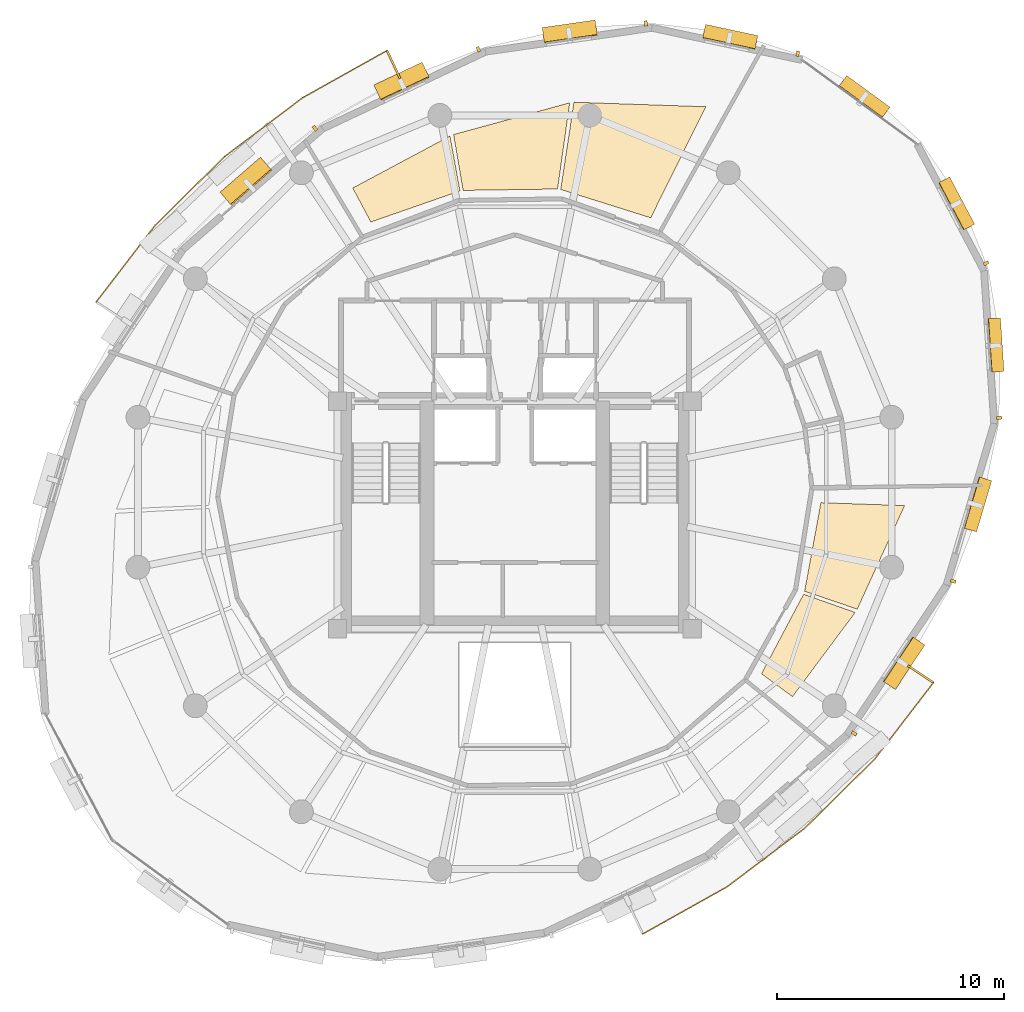
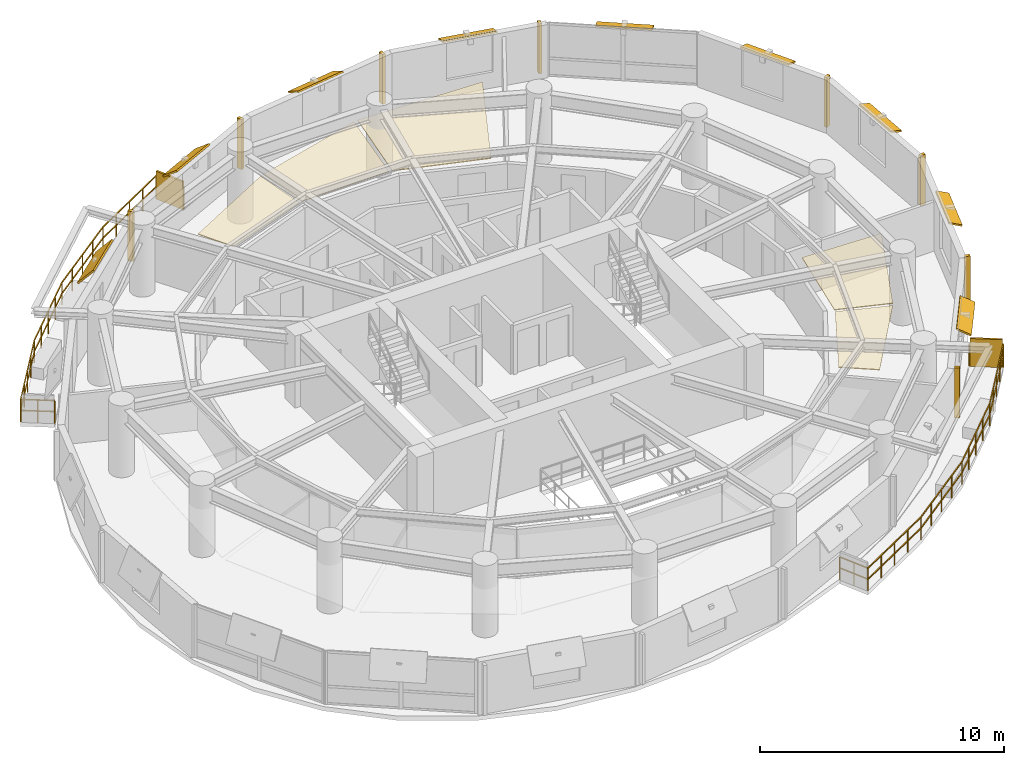
# One storey, part 12 of 12: 19 shading devices, 5 coverings, 2 railings.
"""IFC4 building model written with IfcOpenShell, lengths in metres."""

from ifc_helpers import new_model, si_unit, direction, frame, origin, origin_2d, place, context, subcontext, project, spatial, polyline, rectangle, outline, extrude, material, layer, layer_set, type_object, element, save


model = new_model("IFC4")

# Units and contexts
model_context = context("Model", 3, precision=1e-05, world=origin(), true_north=direction((0.0, 1.0)))
body_context = subcontext(model_context, "Body", "Model", "MODEL_VIEW")
ifc_project = project(units=[si_unit("LENGTHUNIT", "METRE"), si_unit("AREAUNIT", "SQUARE_METRE"), si_unit("VOLUMEUNIT", "CUBIC_METRE"), si_unit("PLANEANGLEUNIT", "RADIAN"), si_unit("MASSUNIT", "GRAM", prefix="KILO"), si_unit("THERMODYNAMICTEMPERATUREUNIT", "KELVIN"), si_unit("POWERUNIT", "WATT")], contexts=[model_context])

# Site, building, storey
site_placement = place(None, origin())
site = spatial("IfcSite", under=ifc_project, at=site_placement, CompositionType="ELEMENT")
building_placement = place(site_placement, origin())
building = spatial("IfcBuilding", under=site, at=building_placement, Name="Ocrelia Relay Tower", CompositionType="ELEMENT")
storey_placement = place(building_placement, frame((0.0, 0.0, 202.39990234375)))
storey = spatial("IfcBuildingStorey", under=building, at=storey_placement, Name="L49", CompositionType="ELEMENT", Elevation=202.39990234375)

# Coverings
ifc_material_1 = material(Name="Mineral-fiber acoustic ceiling tile", Category="gypsum")
ifc_layer_1 = layer(ifc_material_1, 0.0400390625, Name="Mineral-fiber acoustic ceiling tile")
ifc_layer_set_1 = layer_set([ifc_layer_1], Name="Mineral-fiber acoustic ceiling tile")
covering_type = type_object("IfcCoveringType", Name="COV-CEIL-ACOUSTIC", PredefinedType="CEILING", material=ifc_layer_set_1)
covering_1_placement = place(storey_placement, frame((0.0, 0.0, 2.380126953125)))
element("IfcCovering", 1, at=covering_1_placement, inside=storey, type_object=covering_type, Name="L49 Cloud Engineering Workspace Suspended Ceiling 1", PredefinedType="CEILING", context=body_context, shape_type="SweptSolid", body=[
    extrude(outline(polyline([(39.978759765625, 38.070556640625), (42.400146484375, 42.958984375), (36.599609375, 43.156005859375), (36.01806640625, 39.318115234375), (39.978759765625, 38.070556640625)])), origin(), (0.0, 0.0, 1.0), 0.0400390625),
])
covering_2_placement = place(storey_placement, frame((0.0, 0.0, 2.380126953125)))
element("IfcCovering", 2, at=covering_2_placement, inside=storey, type_object=covering_type, Name="L49 Cloud Engineering Workspace Suspended Ceiling 2", PredefinedType="CEILING", context=body_context, shape_type="SweptSolid", body=[
    extrude(outline(polyline([(35.87841796875, 39.33837890625), (36.41259765625, 43.130615234375), (31.305908203125, 41.7333984375), (31.7265625, 39.27685546875), (35.87841796875, 39.33837890625)])), origin(), (0.0, 0.0, 1.0), 0.0400390625),
])
covering_3_placement = place(storey_placement, frame((0.0, 0.0, 2.380126953125)))
element("IfcCovering", 3, at=covering_3_placement, inside=storey, type_object=covering_type, Name="L49 Cloud Engineering Workspace Suspended Ceiling 3", PredefinedType="CEILING", context=body_context, shape_type="SweptSolid", body=[
    extrude(outline(polyline([(31.587646484375, 39.252197265625), (31.147705078125, 41.668701171875), (26.869384765625, 39.382568359375), (27.665771484375, 37.8876953125), (31.587646484375, 39.252197265625)])), origin(), (0.0, 0.0, 1.0), 0.0400390625),
])
covering_4_placement = place(storey_placement, frame((0.0, 0.0, 2.380126953125)))
element("IfcCovering", 4, at=covering_4_placement, inside=storey, type_object=covering_type, Name="L49 Telemetry Operations Office Suspended Ceiling 1", PredefinedType="CEILING", context=body_context, shape_type="SweptSolid", body=[
    extrude(outline(polyline([(44.848876953125, 18.01611328125), (46.212890625, 17.01220703125), (48.970703125, 20.71337890625), (46.701416015625, 21.5146484375), (44.848876953125, 18.01611328125)])), origin(), (0.0, 0.0, 1.0), 0.0400390625),
])
covering_5_placement = place(storey_placement, frame((0.0, 0.0, 2.380126953125)))
element("IfcCovering", 5, at=covering_5_placement, inside=storey, type_object=covering_type, Name="L49 Telemetry Operations Office Suspended Ceiling 2", PredefinedType="CEILING", context=body_context, shape_type="SweptSolid", body=[
    extrude(outline(polyline([(46.74755859375, 21.64794921875), (49.058837890625, 20.85888671875), (51.14599609375, 25.416259765625), (47.462158203125, 25.541748046875), (46.74755859375, 21.64794921875)])), origin(), (0.0, 0.0, 1.0), 0.0400390625),
])

# Railings
ifc_material_2 = material(Name="Steel S355 balustrade", Category="steel")
railing_type = type_object("IfcRailingType", Name="RL-EXT-GUARD-1150", PredefinedType="GUARDRAIL", material=ifc_material_2)
railing_1_placement = place(storey_placement, frame((16.744384765625, 33.602783203125, 0.0)))
element("IfcRailing", 6, at=railing_1_placement, inside=storey, type_object=railing_type, Name="L49 Loggia Balcony Guard Rail B1", PredefinedType="GUARDRAIL", context=body_context, shape_type="SweptSolid", body=[
    extrude(rectangle(XDim=0.048095703125, YDim=0.048095703125, at=origin_2d()), frame((0.0, 0.0, 1.1259765625), z_axis=(-0.833878836898, 0.551947538607, 0.0), x_axis=(-0.551947538607, -0.833878836898, 0.0)), (0.0, 0.0, 1.0), 1.393310546875),
    extrude(rectangle(XDim=0.048095703125, YDim=0.048095703125, at=origin_2d()), frame((0.0, 0.0, 0.574951171875), z_axis=(-0.833878836898, 0.551947538607, 0.0), x_axis=(-0.551947538607, -0.833878836898, 0.0)), (0.0, 0.0, 1.0), 1.393310546875),
    extrude(rectangle(XDim=0.048095703125, YDim=0.048095703125, at=origin_2d()), frame((-1.161865234375, 0.76904296875, 1.1259765625), z_axis=(0.609272358463, 0.792961028811, 0.0), x_axis=(-0.792961028811, 0.609272358463, 0.0)), (0.0, 0.0, 1.0), 2.12646484375),
    extrude(rectangle(XDim=0.048095703125, YDim=0.048095703125, at=origin_2d()), frame((-1.161865234375, 0.76904296875, 0.574951171875), z_axis=(0.609272358463, 0.792961028811, 0.0), x_axis=(-0.792961028811, 0.609272358463, 0.0)), (0.0, 0.0, 1.0), 2.12646484375),
    extrude(rectangle(XDim=0.048095703125, YDim=0.048095703125, at=origin_2d()), frame((0.1337890625, 2.455322265625, 1.1259765625), z_axis=(0.609272358463, 0.792961028811, 0.0), x_axis=(-0.792961028811, 0.609272358463, 0.0)), (0.0, 0.0, 1.0), 2.12646484375),
    extrude(rectangle(XDim=0.048095703125, YDim=0.048095703125, at=origin_2d()), frame((0.1337890625, 2.455322265625, 0.574951171875), z_axis=(0.609272358463, 0.792961028811, 0.0), x_axis=(-0.792961028811, 0.609272358463, 0.0)), (0.0, 0.0, 1.0), 2.12646484375),
    extrude(rectangle(XDim=0.048095703125, YDim=0.048095703125, at=origin_2d()), frame((1.429443359375, 4.1416015625, 1.1259765625), z_axis=(0.710929584631, 0.703263198025, 0.0), x_axis=(-0.703263198025, 0.710929584631, 0.0)), (0.0, 0.0, 1.0), 4.299072265625),
    extrude(rectangle(XDim=0.048095703125, YDim=0.048095703125, at=origin_2d()), frame((1.429443359375, 4.1416015625, 0.574951171875), z_axis=(0.710929584631, 0.703263198025, 0.0), x_axis=(-0.703263198025, 0.710929584631, 0.0)), (0.0, 0.0, 1.0), 4.299072265625),
    extrude(rectangle(XDim=0.048095703125, YDim=0.048095703125, at=origin_2d()), frame((4.48583984375, 7.1650390625, 1.1259765625), z_axis=(0.798518768599, 0.601969913032, 0.0), x_axis=(-0.601969913032, 0.798518768599, 0.0)), (0.0, 0.0, 1.0), 4.299072265625),
    extrude(rectangle(XDim=0.048095703125, YDim=0.048095703125, at=origin_2d()), frame((4.48583984375, 7.1650390625, 0.574951171875), z_axis=(0.798518768599, 0.601969913032, 0.0), x_axis=(-0.601969913032, 0.798518768599, 0.0)), (0.0, 0.0, 1.0), 4.299072265625),
    extrude(rectangle(XDim=0.048095703125, YDim=0.048095703125, at=origin_2d()), frame((7.918701171875, 9.7529296875, 1.1259765625), z_axis=(0.872582351103, 0.488467031173, 0.0), x_axis=(-0.488467031173, 0.872582351103, 0.0)), (0.0, 0.0, 1.0), 2.126708984375),
    extrude(rectangle(XDim=0.048095703125, YDim=0.048095703125, at=origin_2d()), frame((7.918701171875, 9.7529296875, 0.574951171875), z_axis=(0.872582351103, 0.488467031173, 0.0), x_axis=(-0.488467031173, 0.872582351103, 0.0)), (0.0, 0.0, 1.0), 2.126708984375),
    extrude(rectangle(XDim=0.048095703125, YDim=0.048095703125, at=origin_2d()), frame((9.7744140625, 10.791748046875, 1.1259765625), z_axis=(0.872631279712, 0.488379616352, 0.0), x_axis=(-0.488379616352, 0.872631279712, 0.0)), (0.0, 0.0, 1.0), 2.12646484375),
    extrude(rectangle(XDim=0.048095703125, YDim=0.048095703125, at=origin_2d()), frame((9.7744140625, 10.791748046875, 0.574951171875), z_axis=(0.872631279712, 0.488379616352, 0.0), x_axis=(-0.488379616352, 0.872631279712, 0.0)), (0.0, 0.0, 1.0), 2.12646484375),
    extrude(rectangle(XDim=0.048095703125, YDim=0.048095703125, at=origin_2d()), frame((11.630126953125, 11.830322265625, 1.1259765625), z_axis=(0.425923596755, -0.904759133542, 0.0), x_axis=(0.904759133542, 0.425923596755, 0.0)), (0.0, 0.0, 1.0), 1.3935546875),
    extrude(rectangle(XDim=0.048095703125, YDim=0.048095703125, at=origin_2d()), frame((11.630126953125, 11.830322265625, 0.574951171875), z_axis=(0.425923596755, -0.904759133542, 0.0), x_axis=(0.904759133542, 0.425923596755, 0.0)), (0.0, 0.0, 1.0), 1.3935546875),
    extrude(rectangle(XDim=0.0419921875, YDim=0.0419921875, at=origin_2d()), origin(), (0.0, 0.0, 1.0), 1.101806640625),
    extrude(rectangle(XDim=0.0419921875, YDim=0.0419921875, at=origin_2d()), frame((-0.5810546875, 0.384521484375, 0.0)), (0.0, 0.0, 1.0), 1.101806640625),
    extrude(rectangle(XDim=0.0419921875, YDim=0.0419921875, at=origin_2d()), frame((-1.161865234375, 0.76904296875, 0.0)), (0.0, 0.0, 1.0), 1.101806640625),
    extrude(rectangle(XDim=0.0419921875, YDim=0.0419921875, at=origin_2d()), frame((-0.51416015625, 1.6123046875, 0.0)), (0.0, 0.0, 1.0), 1.101806640625),
    extrude(rectangle(XDim=0.0419921875, YDim=0.0419921875, at=origin_2d()), frame((0.1337890625, 2.455322265625, 0.0)), (0.0, 0.0, 1.0), 1.101806640625),
    extrude(rectangle(XDim=0.0419921875, YDim=0.0419921875, at=origin_2d()), frame((0.78173828125, 3.29833984375, 0.0)), (0.0, 0.0, 1.0), 1.101806640625),
    extrude(rectangle(XDim=0.0419921875, YDim=0.0419921875, at=origin_2d()), frame((1.429443359375, 4.1416015625, 0.0)), (0.0, 0.0, 1.0), 1.101806640625),
    extrude(rectangle(XDim=0.0419921875, YDim=0.0419921875, at=origin_2d()), frame((2.193603515625, 4.8974609375, 0.0)), (0.0, 0.0, 1.0), 1.101806640625),
    extrude(rectangle(XDim=0.0419921875, YDim=0.0419921875, at=origin_2d()), frame((2.95751953125, 5.6533203125, 0.0)), (0.0, 0.0, 1.0), 1.101806640625),
    extrude(rectangle(XDim=0.0419921875, YDim=0.0419921875, at=origin_2d()), frame((3.7216796875, 6.4091796875, 0.0)), (0.0, 0.0, 1.0), 1.101806640625),
    extrude(rectangle(XDim=0.0419921875, YDim=0.0419921875, at=origin_2d()), frame((4.48583984375, 7.1650390625, 0.0)), (0.0, 0.0, 1.0), 1.101806640625),
    extrude(rectangle(XDim=0.0419921875, YDim=0.0419921875, at=origin_2d()), frame((5.343994140625, 7.81201171875, 0.0)), (0.0, 0.0, 1.0), 1.101806640625),
    extrude(rectangle(XDim=0.0419921875, YDim=0.0419921875, at=origin_2d()), frame((6.2021484375, 8.458984375, 0.0)), (0.0, 0.0, 1.0), 1.101806640625),
    extrude(rectangle(XDim=0.0419921875, YDim=0.0419921875, at=origin_2d()), frame((7.060546875, 9.10595703125, 0.0)), (0.0, 0.0, 1.0), 1.101806640625),
    extrude(rectangle(XDim=0.0419921875, YDim=0.0419921875, at=origin_2d()), frame((7.918701171875, 9.7529296875, 0.0)), (0.0, 0.0, 1.0), 1.101806640625),
    extrude(rectangle(XDim=0.0419921875, YDim=0.0419921875, at=origin_2d()), frame((8.8466796875, 10.2724609375, 0.0)), (0.0, 0.0, 1.0), 1.101806640625),
    extrude(rectangle(XDim=0.0419921875, YDim=0.0419921875, at=origin_2d()), frame((9.7744140625, 10.791748046875, 0.0)), (0.0, 0.0, 1.0), 1.101806640625),
    extrude(rectangle(XDim=0.0419921875, YDim=0.0419921875, at=origin_2d()), frame((10.7021484375, 11.31103515625, 0.0)), (0.0, 0.0, 1.0), 1.101806640625),
    extrude(rectangle(XDim=0.0419921875, YDim=0.0419921875, at=origin_2d()), frame((11.630126953125, 11.830322265625, 0.0)), (0.0, 0.0, 1.0), 1.101806640625),
    extrude(rectangle(XDim=0.0419921875, YDim=0.0419921875, at=origin_2d()), frame((11.9267578125, 11.199951171875, 0.0)), (0.0, 0.0, 1.0), 1.101806640625),
    extrude(rectangle(XDim=0.0419921875, YDim=0.0419921875, at=origin_2d()), frame((12.2236328125, 10.569580078125, 0.0)), (0.0, 0.0, 1.0), 1.101806640625),
])
railing_2_placement = place(storey_placement, frame((51.255615234375, 18.397216796875, 0.0)))
element("IfcRailing", 7, at=railing_2_placement, inside=storey, type_object=railing_type, Name="L49 Loggia Balcony Guard Rail B2", PredefinedType="GUARDRAIL", context=body_context, shape_type="SweptSolid", body=[
    extrude(rectangle(XDim=0.048095703125, YDim=0.048095703125, at=origin_2d()), frame((0.0, 0.0, 1.1259765625), z_axis=(0.833878836898, -0.551947538607, 0.0), x_axis=(0.551947538607, 0.833878836898, 0.0)), (0.0, 0.0, 1.0), 1.393310546875),
    extrude(rectangle(XDim=0.048095703125, YDim=0.048095703125, at=origin_2d()), frame((0.0, 0.0, 0.574951171875), z_axis=(0.833878836898, -0.551947538607, 0.0), x_axis=(0.551947538607, 0.833878836898, 0.0)), (0.0, 0.0, 1.0), 1.393310546875),
    extrude(rectangle(XDim=0.048095703125, YDim=0.048095703125, at=origin_2d()), frame((1.161865234375, -0.76904296875, 1.1259765625), z_axis=(-0.609272358463, -0.792961028811, 0.0), x_axis=(0.792961028811, -0.609272358463, 0.0)), (0.0, 0.0, 1.0), 2.12646484375),
    extrude(rectangle(XDim=0.048095703125, YDim=0.048095703125, at=origin_2d()), frame((1.161865234375, -0.76904296875, 0.574951171875), z_axis=(-0.609272358463, -0.792961028811, 0.0), x_axis=(0.792961028811, -0.609272358463, 0.0)), (0.0, 0.0, 1.0), 2.12646484375),
    extrude(rectangle(XDim=0.048095703125, YDim=0.048095703125, at=origin_2d()), frame((-0.1337890625, -2.455322265625, 1.1259765625), z_axis=(-0.609272358463, -0.792961028811, 0.0), x_axis=(0.792961028811, -0.609272358463, 0.0)), (0.0, 0.0, 1.0), 2.12646484375),
    extrude(rectangle(XDim=0.048095703125, YDim=0.048095703125, at=origin_2d()), frame((-0.1337890625, -2.455322265625, 0.574951171875), z_axis=(-0.609272358463, -0.792961028811, 0.0), x_axis=(0.792961028811, -0.609272358463, 0.0)), (0.0, 0.0, 1.0), 2.12646484375),
    extrude(rectangle(XDim=0.048095703125, YDim=0.048095703125, at=origin_2d()), frame((-1.429443359375, -4.1416015625, 1.1259765625), z_axis=(-0.710929584631, -0.703263198025, 0.0), x_axis=(0.703263198025, -0.710929584631, 0.0)), (0.0, 0.0, 1.0), 4.299072265625),
    extrude(rectangle(XDim=0.048095703125, YDim=0.048095703125, at=origin_2d()), frame((-1.429443359375, -4.1416015625, 0.574951171875), z_axis=(-0.710929584631, -0.703263198025, 0.0), x_axis=(0.703263198025, -0.710929584631, 0.0)), (0.0, 0.0, 1.0), 4.299072265625),
    extrude(rectangle(XDim=0.048095703125, YDim=0.048095703125, at=origin_2d()), frame((-4.48583984375, -7.1650390625, 1.1259765625), z_axis=(-0.798518768599, -0.601969913032, 0.0), x_axis=(0.601969913032, -0.798518768599, 0.0)), (0.0, 0.0, 1.0), 4.299072265625),
    extrude(rectangle(XDim=0.048095703125, YDim=0.048095703125, at=origin_2d()), frame((-4.48583984375, -7.1650390625, 0.574951171875), z_axis=(-0.798518768599, -0.601969913032, 0.0), x_axis=(0.601969913032, -0.798518768599, 0.0)), (0.0, 0.0, 1.0), 4.299072265625),
    extrude(rectangle(XDim=0.048095703125, YDim=0.048095703125, at=origin_2d()), frame((-7.918701171875, -9.7529296875, 1.1259765625), z_axis=(-0.872631279712, -0.488379616352, 0.0), x_axis=(0.488379616352, -0.872631279712, 0.0)), (0.0, 0.0, 1.0), 2.12646484375),
    extrude(rectangle(XDim=0.048095703125, YDim=0.048095703125, at=origin_2d()), frame((-7.918701171875, -9.7529296875, 0.574951171875), z_axis=(-0.872631279712, -0.488379616352, 0.0), x_axis=(0.488379616352, -0.872631279712, 0.0)), (0.0, 0.0, 1.0), 2.12646484375),
    extrude(rectangle(XDim=0.048095703125, YDim=0.048095703125, at=origin_2d()), frame((-9.7744140625, -10.79150390625, 1.1259765625), z_axis=(-0.872582351103, -0.488467031173, 0.0), x_axis=(0.488467031173, -0.872582351103, 0.0)), (0.0, 0.0, 1.0), 2.126708984375),
    extrude(rectangle(XDim=0.048095703125, YDim=0.048095703125, at=origin_2d()), frame((-9.7744140625, -10.79150390625, 0.574951171875), z_axis=(-0.872582351103, -0.488467031173, 0.0), x_axis=(0.488467031173, -0.872582351103, 0.0)), (0.0, 0.0, 1.0), 2.126708984375),
    extrude(rectangle(XDim=0.048095703125, YDim=0.048095703125, at=origin_2d()), frame((-11.630126953125, -11.830322265625, 1.1259765625), z_axis=(-0.425923596755, 0.904759133542, 0.0), x_axis=(-0.904759133542, -0.425923596755, 0.0)), (0.0, 0.0, 1.0), 1.3935546875),
    extrude(rectangle(XDim=0.048095703125, YDim=0.048095703125, at=origin_2d()), frame((-11.630126953125, -11.830322265625, 0.574951171875), z_axis=(-0.425923596755, 0.904759133542, 0.0), x_axis=(-0.904759133542, -0.425923596755, 0.0)), (0.0, 0.0, 1.0), 1.3935546875),
    extrude(rectangle(XDim=0.0419921875, YDim=0.0419921875, at=origin_2d()), origin(), (0.0, 0.0, 1.0), 1.101806640625),
    extrude(rectangle(XDim=0.0419921875, YDim=0.0419921875, at=origin_2d()), frame((0.5810546875, -0.384521484375, 0.0)), (0.0, 0.0, 1.0), 1.101806640625),
    extrude(rectangle(XDim=0.0419921875, YDim=0.0419921875, at=origin_2d()), frame((1.161865234375, -0.76904296875, 0.0)), (0.0, 0.0, 1.0), 1.101806640625),
    extrude(rectangle(XDim=0.0419921875, YDim=0.0419921875, at=origin_2d()), frame((0.51416015625, -1.6123046875, 0.0)), (0.0, 0.0, 1.0), 1.101806640625),
    extrude(rectangle(XDim=0.0419921875, YDim=0.0419921875, at=origin_2d()), frame((-0.1337890625, -2.455322265625, 0.0)), (0.0, 0.0, 1.0), 1.101806640625),
    extrude(rectangle(XDim=0.0419921875, YDim=0.0419921875, at=origin_2d()), frame((-0.78173828125, -3.29833984375, 0.0)), (0.0, 0.0, 1.0), 1.101806640625),
    extrude(rectangle(XDim=0.0419921875, YDim=0.0419921875, at=origin_2d()), frame((-1.429443359375, -4.1416015625, 0.0)), (0.0, 0.0, 1.0), 1.101806640625),
    extrude(rectangle(XDim=0.0419921875, YDim=0.0419921875, at=origin_2d()), frame((-2.193603515625, -4.8974609375, 0.0)), (0.0, 0.0, 1.0), 1.101806640625),
    extrude(rectangle(XDim=0.0419921875, YDim=0.0419921875, at=origin_2d()), frame((-2.95751953125, -5.6533203125, 0.0)), (0.0, 0.0, 1.0), 1.101806640625),
    extrude(rectangle(XDim=0.0419921875, YDim=0.0419921875, at=origin_2d()), frame((-3.7216796875, -6.4091796875, 0.0)), (0.0, 0.0, 1.0), 1.101806640625),
    extrude(rectangle(XDim=0.0419921875, YDim=0.0419921875, at=origin_2d()), frame((-4.48583984375, -7.1650390625, 0.0)), (0.0, 0.0, 1.0), 1.101806640625),
    extrude(rectangle(XDim=0.0419921875, YDim=0.0419921875, at=origin_2d()), frame((-5.343994140625, -7.81201171875, 0.0)), (0.0, 0.0, 1.0), 1.101806640625),
    extrude(rectangle(XDim=0.0419921875, YDim=0.0419921875, at=origin_2d()), frame((-6.2021484375, -8.458984375, 0.0)), (0.0, 0.0, 1.0), 1.101806640625),
    extrude(rectangle(XDim=0.0419921875, YDim=0.0419921875, at=origin_2d()), frame((-7.060546875, -9.10595703125, 0.0)), (0.0, 0.0, 1.0), 1.101806640625),
    extrude(rectangle(XDim=0.0419921875, YDim=0.0419921875, at=origin_2d()), frame((-7.918701171875, -9.7529296875, 0.0)), (0.0, 0.0, 1.0), 1.101806640625),
    extrude(rectangle(XDim=0.0419921875, YDim=0.0419921875, at=origin_2d()), frame((-8.8466796875, -10.272216796875, 0.0)), (0.0, 0.0, 1.0), 1.101806640625),
    extrude(rectangle(XDim=0.0419921875, YDim=0.0419921875, at=origin_2d()), frame((-9.7744140625, -10.79150390625, 0.0)), (0.0, 0.0, 1.0), 1.101806640625),
    extrude(rectangle(XDim=0.0419921875, YDim=0.0419921875, at=origin_2d()), frame((-10.7021484375, -11.31103515625, 0.0)), (0.0, 0.0, 1.0), 1.101806640625),
    extrude(rectangle(XDim=0.0419921875, YDim=0.0419921875, at=origin_2d()), frame((-11.630126953125, -11.830322265625, 0.0)), (0.0, 0.0, 1.0), 1.101806640625),
    extrude(rectangle(XDim=0.0419921875, YDim=0.0419921875, at=origin_2d()), frame((-11.9267578125, -11.199951171875, 0.0)), (0.0, 0.0, 1.0), 1.101806640625),
    extrude(rectangle(XDim=0.0419921875, YDim=0.0419921875, at=origin_2d()), frame((-12.2236328125, -10.569580078125, 0.0)), (0.0, 0.0, 1.0), 1.101806640625),
])

# Shading devices
ifc_material_3 = material(Name="Perforated oxide terracotta solar screen", Category="masonry")
ifc_layer_2 = layer(ifc_material_3, 0.090087890625, Name="Perforated oxide terracotta solar screen")
ifc_layer_set_2 = layer_set([ifc_layer_2], Name="Perforated oxide terracotta solar screen")
shading_device_type_1 = type_object("IfcShadingDeviceType", Name="SH-BALC-SCREEN", PredefinedType="USERDEFINED", material=ifc_layer_set_2)
for number, where, z_axis, x_axis, name in (
    (8, (28.671142578125, 44.802734375, 0.000244140625), (0.0, 0.0, 1.0), (-0.425845420265, 0.90479593171, 0.0), "L49 Balcony Perforated Terracotta Screen B1-1"),
    (9, (51.836669921875, 18.0126953125, 0.000244140625), (0.0, 0.0, 1.0), (0.833834567155, -0.552014415225, 0.0), "L49 Balcony Perforated Terracotta Screen B2-2"),
):
    element("IfcShadingDevice", number, at=place(storey_placement, frame(where, z_axis=z_axis, x_axis=x_axis)), inside=storey, type_object=shading_device_type_1, Name=name, ObjectType="SCREEN", PredefinedType="USERDEFINED", context=body_context, shape_type="SweptSolid", body=[
        extrude(rectangle(XDim=1.340087890625, YDim=0.090087890625, at=origin_2d()), origin(), (0.0, 0.0, 1.0), 1.39990234375),
    ])
ifc_material_4 = material(Name="Extruded oxide terracotta vertical baguette", Category="masonry")
shading_device_type_2 = type_object("IfcShadingDeviceType", Name="SH-TERR-BAGUETTE", PredefinedType="USERDEFINED", material=ifc_material_4)
for number, where, z_axis, x_axis, name in (
    (10, (46.442138671875, 45.28857421875, 0.080078125), (0.0, 0.0, 1.0), (-0.977760303594, 0.209725508024, 0.0), "L49 Oxide Terracotta Vertical Baguette 02"),
    (11, (39.76318359375, 46.62158203125, 0.080078125), (0.0, 0.0, 1.0), (-0.989889113848, -0.141843372372, 0.0), "L49 Oxide Terracotta Vertical Baguette 03"),
    (12, (32.3955078125, 45.484130859375, 0.080078125), (0.0, 0.0, 1.0), (-0.90414687282, -0.427221760178, 0.0), "L49 Oxide Terracotta Vertical Baguette 04"),
    (13, (25.21142578125, 42.009033203125, 0.080078125), (0.0, 0.0, 1.0), (-0.756423064064, -0.654082676847, 0.0), "L49 Oxide Terracotta Vertical Baguette 05"),
    (14, (48.92822265625, 15.396240234375, 0.080078125), (0.0, 0.0, 1.0), (0.553267090786, 0.83300391731, 0.0), "L49 Oxide Terracotta Vertical Baguette 15"),
    (15, (53.2783203125, 22.091796875, 0.080078125), (0.0, 0.0, 1.0), (0.283258827519, 0.959043500907, 0.0), "L49 Oxide Terracotta Vertical Baguette 16"),
    (16, (55.298583984375, 29.27587890625, 0.080078125), (0.0, 0.0, 1.0), (-0.066374361501, 0.997794790593, 0.0), "L49 Oxide Terracotta Vertical Baguette 17"),
    (17, (54.728515625, 36.0712890625, 0.080078125), (0.0, 0.0, 1.0), (-0.467470825278, 0.884008499684, 0.0), "L49 Oxide Terracotta Vertical Baguette 18"),
):
    element("IfcShadingDevice", number, at=place(storey_placement, frame(where, z_axis=z_axis, x_axis=x_axis)), inside=storey, type_object=shading_device_type_2, Name=name, ObjectType="BAGUETTE", PredefinedType="USERDEFINED", context=body_context, shape_type="SweptSolid", body=[
        extrude(rectangle(XDim=0.139892578125, YDim=0.239990234375, at=origin_2d()), origin(), (0.0, 0.0, 1.0), 2.5),
    ])
ifc_material_5 = material(Name="Extruded oxide terracotta fin", Category="masonry")
ifc_layer_3 = layer(ifc_material_5, 0.080078125, Name="Extruded oxide terracotta fin")
ifc_layer_set_3 = layer_set([ifc_layer_3], Name="Extruded oxide terracotta fin")
shading_device_type_3 = type_object("IfcShadingDeviceType", Name="SH-VISOR-FIN-MED", PredefinedType="USERDEFINED", material=ifc_layer_set_3)
shading_device_1_placement = place(storey_placement, frame((29.029296875, 44.0556640625, 2.468505859375), z_axis=(-0.263023979162, 0.556648397632, 0.788010753607), x_axis=(-0.90414687282, -0.427221760178, 0.0)))
element("IfcShadingDevice", 18, at=shading_device_1_placement, inside=storey, type_object=shading_device_type_3, Name="L49 Canted Terracotta Sun-Visor Fin 04", ObjectType="FIN", PredefinedType="USERDEFINED", context=body_context, shape_type="SweptSolid", body=[
    extrude(rectangle(XDim=2.35009765625, YDim=0.883056640625, at=origin_2d()), origin(), (0.0, 0.0, 1.0), 0.080078125),
])
shading_device_2_placement = place(storey_placement, frame((22.190673828125, 39.656982421875, 2.473388671875), z_axis=(-0.490256996201, 0.566964563307, 0.661966208828), x_axis=(-0.756423064064, -0.654082676847, 0.0)))
element("IfcShadingDevice", 19, at=shading_device_2_placement, inside=storey, type_object=shading_device_type_3, Name="L49 Canted Terracotta Sun-Visor Fin 05", ObjectType="FIN", PredefinedType="USERDEFINED", context=body_context, shape_type="SweptSolid", body=[
    extrude(rectangle(XDim=2.35009765625, YDim=1.05908203125, at=origin_2d()), origin(), (0.0, 0.0, 1.0), 0.080078125),
])
ifc_layer_4 = layer(ifc_material_5, 0.080078125, Name="Extruded oxide terracotta fin")
ifc_layer_set_4 = layer_set([ifc_layer_4], Name="Extruded oxide terracotta fin")
shading_device_type_4 = type_object("IfcShadingDeviceType", Name="SH-VISOR-FIN-SHAL", PredefinedType="USERDEFINED", material=ifc_layer_set_4)
shading_device_3_placement = place(storey_placement, frame((49.370361328125, 43.390625, 2.46240234375), z_axis=(0.20185378849, 0.276102927389, 0.939692620786), x_axis=(-0.807270953997, 0.590180994977, 0.0)))
element("IfcShadingDevice", 20, at=shading_device_3_placement, inside=storey, type_object=shading_device_type_4, Name="L49 Canted Terracotta Sun-Visor Fin 01", ObjectType="FIN", PredefinedType="USERDEFINED", context=body_context, shape_type="SweptSolid", body=[
    extrude(rectangle(XDim=2.35009765625, YDim=0.5830078125, at=origin_2d()), origin(), (0.0, 0.0, 1.0), 0.080078125),
])
shading_device_4_placement = place(storey_placement, frame((43.472900390625, 46.01220703125, 2.46337890625), z_axis=(0.083728543805, 0.390350449888, 0.916851164162), x_axis=(-0.977760303594, 0.209725508024, 0.0)))
element("IfcShadingDevice", 21, at=shading_device_4_placement, inside=storey, type_object=shading_device_type_4, Name="L49 Canted Terracotta Sun-Visor Fin 02", ObjectType="FIN", PredefinedType="USERDEFINED", context=body_context, shape_type="SweptSolid", body=[
    extrude(rectangle(XDim=2.35009765625, YDim=0.64208984375, at=origin_2d()), origin(), (0.0, 0.0, 1.0), 0.080078125),
])
shading_device_5_placement = place(storey_placement, frame((36.418212890625, 46.248046875, 2.465087890625), z_axis=(-0.069523577102, 0.485187506318, 0.871641873673), x_axis=(-0.989889113848, -0.141843372372, 0.0)))
element("IfcShadingDevice", 22, at=shading_device_5_placement, inside=storey, type_object=shading_device_type_4, Name="L49 Canted Terracotta Sun-Visor Fin 03", ObjectType="FIN", PredefinedType="USERDEFINED", context=body_context, shape_type="SweptSolid", body=[
    extrude(rectangle(XDim=2.35009765625, YDim=0.739013671875, at=origin_2d()), origin(), (0.0, 0.0, 1.0), 0.080078125),
])
shading_device_6_placement = place(storey_placement, frame((51.1044921875, 18.493408203125, 2.464111328125), z_axis=(0.367254217896, -0.243924030238, 0.897566380225), x_axis=(0.553267090786, 0.83300391731, 0.0)))
element("IfcShadingDevice", 23, at=shading_device_6_placement, inside=storey, type_object=shading_device_type_4, Name="L49 Canted Terracotta Sun-Visor Fin 15", ObjectType="FIN", PredefinedType="USERDEFINED", context=body_context, shape_type="SweptSolid", body=[
    extrude(rectangle(XDim=2.35009765625, YDim=0.68603515625, at=origin_2d()), origin(), (0.0, 0.0, 1.0), 0.080078125),
])
shading_device_7_placement = place(storey_placement, frame((54.349365234375, 25.469482421875, 2.46240234375), z_axis=(0.336177661624, -0.099291940543, 0.936549886748), x_axis=(0.283258827519, 0.959043500907, 0.0)))
element("IfcShadingDevice", 24, at=shading_device_7_placement, inside=storey, type_object=shading_device_type_4, Name="L49 Canted Terracotta Sun-Visor Fin 16", ObjectType="FIN", PredefinedType="USERDEFINED", context=body_context, shape_type="SweptSolid", body=[
    extrude(rectangle(XDim=2.35009765625, YDim=0.592041015625, at=origin_2d()), origin(), (0.0, 0.0, 1.0), 0.080078125),
])
for number, where, z_axis, x_axis, name in (
    (25, (55.150146484375, 32.477783203125, 2.4619140625), (0.312142419192, 0.020764042834, 0.949808383131), (-0.066374361501, 0.997794790593, 0.0), "L49 Canted Terracotta Sun-Visor Fin 17"),
    (26, (53.421630859375, 38.695068359375, 2.4619140625), (0.276692934771, 0.146317455785, 0.949753769132), (-0.467470825278, 0.884008499684, 0.0), "L49 Canted Terracotta Sun-Visor Fin 18"),
):
    element("IfcShadingDevice", number, at=place(storey_placement, frame(where, z_axis=z_axis, x_axis=x_axis)), inside=storey, type_object=shading_device_type_4, Name=name, ObjectType="FIN", PredefinedType="USERDEFINED", context=body_context, shape_type="SweptSolid", body=[
        extrude(rectangle(XDim=2.35009765625, YDim=0.553955078125, at=origin_2d()), origin(), (0.0, 0.0, 1.0), 0.080078125),
    ])

save(model, "model.ifc")
